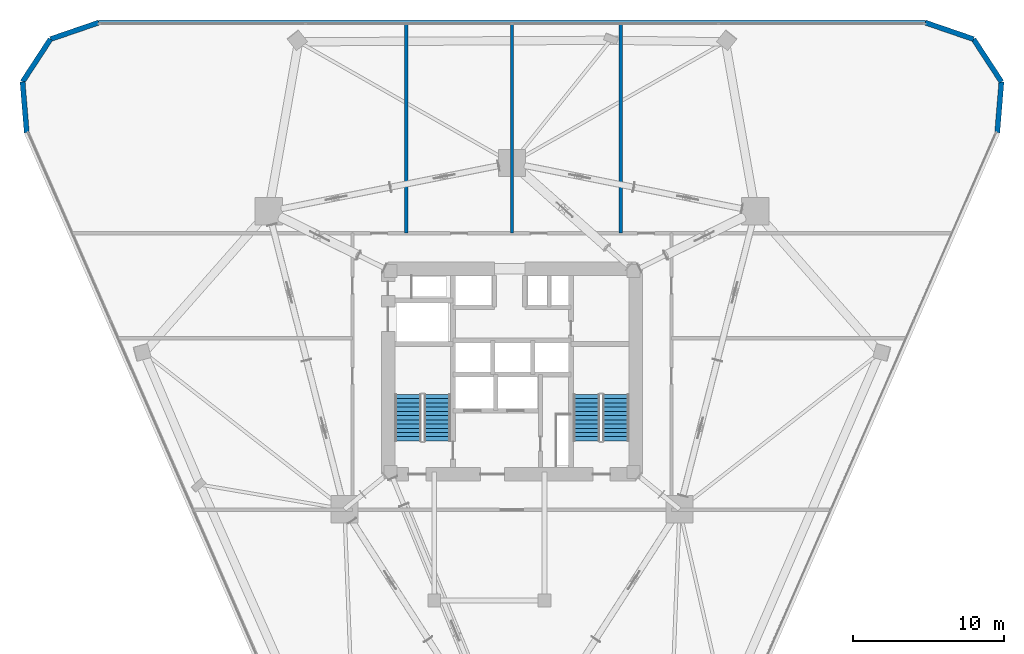
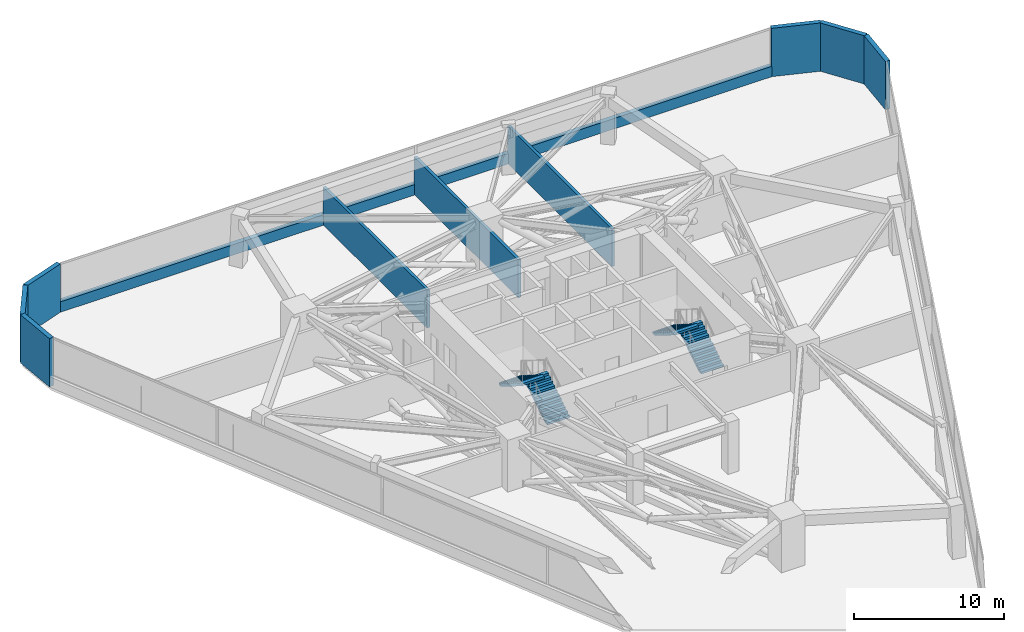
# One storey, part 19 of 20: 10 walls, 4 stair flights, 2 elements without a shape of their own.
"""IFC4 building model written with IfcOpenShell, lengths in metres."""

from ifc_helpers import new_model, si_unit, direction, frame, frame_2d, origin, place, context, subcontext, project, spatial, polyline, rectangle, outline, extrude, material, layer, layer_set, type_object, element, aggregate, save


model = new_model("IFC4")

# Units and contexts
model_context = context("Model", 3, precision=1e-05, world=origin(), true_north=direction((0.0, 1.0)))
body_context = subcontext(model_context, "Body", "Model", "MODEL_VIEW")
ifc_project = project(units=[si_unit("LENGTHUNIT", "METRE"), si_unit("AREAUNIT", "SQUARE_METRE"), si_unit("VOLUMEUNIT", "CUBIC_METRE"), si_unit("PLANEANGLEUNIT", "RADIAN"), si_unit("MASSUNIT", "GRAM", prefix="KILO")], contexts=[model_context])

# Site, building, storey
site_placement = place(None, origin())
site = spatial("IfcSite", under=ifc_project, at=site_placement, CompositionType="ELEMENT")
building_placement = place(site_placement, origin())
building = spatial("IfcBuilding", under=site, at=building_placement, Name="Talyreon Biosciences Tower", CompositionType="ELEMENT")
storey_placement = place(building_placement, frame((0.0, 0.0, 70.800048828125)))
storey = spatial("IfcBuildingStorey", under=building, at=storey_placement, Name="L18", CompositionType="ELEMENT", Elevation=70.800048828125)

# Walls
ifc_material_1 = material(Name="Gypsum fireboard acoustic stud", Category="gypsum")
ifc_layer_1 = layer(ifc_material_1, 0.219970703125)
ifc_layer_set_1 = layer_set([ifc_layer_1], Name="Gypsum fireboard acoustic stud")
wall_type_1 = type_object("IfcWallType", Name="CorridorRatedPartition_220", PredefinedType="PARTITIONING", material=ifc_layer_set_1)
for number, where, z_axis, x_axis, name in (
    (1, (59.0, 77.14990234375, 0.0), (0.0, 0.0, 1.0), (0.0, 1.0, 0.0), "L18 Interior Wall IW-L18-ND1"),
    (2, (66.0, 77.14990234375, 0.0), (0.0, 0.0, 1.0), (0.0, 1.0, 0.0), "L18 Interior Wall IW-L18-ND2"),
    (3, (73.199951171875, 77.14990234375, 0.0), (0.0, 0.0, 1.0), (0.0, 1.0, 0.0), "L18 Interior Wall IW-L18-ND3"),
):
    element("IfcWall", number, at=place(storey_placement, frame(where, z_axis=z_axis, x_axis=x_axis)), inside=storey, type_object=wall_type_1, Name=name, PredefinedType="PARTITIONING", context=body_context, shape_type="SweptSolid", body=[
        extrude(rectangle(XDim=13.852294921875, YDim=0.219970703125, at=frame_2d((6.92626953125, 0.0))), origin(), (0.0, 0.0, 1.0), 3.054931640625),
    ])
ifc_material_2 = material(Name="Precast concrete C45/55", Category="concrete")
ifc_layer_2 = layer(ifc_material_2, 0.340087890625)
ifc_layer_set_2 = layer_set([ifc_layer_2], Name="Precast concrete C45/55")
wall_type_2 = type_object("IfcWallType", Name="PrecastConcreteSpandrelWall_340", PredefinedType="STANDARD", material=ifc_layer_set_2)
wall_1_placement = place(storey_placement, frame((33.885986328125, 83.802734375, 0.0), z_axis=(0.0, 0.0, 1.0), x_axis=(-0.081806311552, 0.99664824657, 0.0)))
element("IfcWall", 4, at=wall_1_placement, inside=storey, type_object=wall_type_2, Name="L18 Rounded-Corner Concrete Pier 01", PredefinedType="STANDARD", context=body_context, shape_type="SweptSolid", body=[
    extrude(rectangle(XDim=3.375244140625, YDim=0.340087890625, at=frame_2d((1.6875, 0.0))), origin(), (0.0, 0.0, 1.0), 3.925048828125),
])
wall_2_placement = place(storey_placement, frame((33.60986328125, 87.166748046875, 0.0), z_axis=(0.0, 0.0, 1.0), x_axis=(0.54736822803, 0.83689188247, 0.0)))
element("IfcWall", 5, at=wall_2_placement, inside=storey, type_object=wall_type_2, Name="L18 Rounded-Corner Concrete Pier 02", PredefinedType="STANDARD", context=body_context, shape_type="SweptSolid", body=[
    extrude(rectangle(XDim=3.37548828125, YDim=0.340087890625, at=frame_2d((1.687744140625, 0.0))), origin(), (0.0, 0.0, 1.0), 3.925048828125),
])
wall_3_placement = place(storey_placement, frame((35.45751953125, 89.99169921875, 0.0), z_axis=(0.0, 0.0, 1.0), x_axis=(0.945861583966, 0.324570275868, 0.0)))
element("IfcWall", 6, at=wall_3_placement, inside=storey, type_object=wall_type_2, Name="L18 Rounded-Corner Concrete Pier 03", PredefinedType="STANDARD", context=body_context, shape_type="SweptSolid", body=[
    extrude(rectangle(XDim=3.375, YDim=0.340087890625, at=frame_2d((1.6875, 0.0))), origin(), (0.0, 0.0, 1.0), 3.925048828125),
])
wall_4_placement = place(storey_placement, frame((38.64990234375, 91.087158203125, 0.0), z_axis=(0.0, 0.0, 1.0), x_axis=(1.0, 0.0, 0.0)))
element("IfcWall", 7, at=wall_4_placement, inside=storey, type_object=wall_type_2, Name="L18 Expressed Concrete Sill Wall 04", PredefinedType="STANDARD", context=body_context, shape_type="SweptSolid", body=[
    extrude(rectangle(XDim=54.7001953125, YDim=0.340087890625, at=frame_2d((27.35009765625, 0.0))), origin(), (0.0, 0.0, 1.0), 0.849853515625),
])
wall_5_placement = place(storey_placement, frame((93.35009765625, 91.087158203125, 0.0), z_axis=(0.0, 0.0, 1.0), x_axis=(0.945861583966, -0.324570275868, 0.0)))
element("IfcWall", 8, at=wall_5_placement, inside=storey, type_object=wall_type_2, Name="L18 Rounded-Corner Concrete Pier 05", PredefinedType="STANDARD", context=body_context, shape_type="SweptSolid", body=[
    extrude(rectangle(XDim=3.375, YDim=0.340087890625, at=frame_2d((1.6875, 0.0))), origin(), (0.0, 0.0, 1.0), 3.925048828125),
])
wall_6_placement = place(storey_placement, frame((96.54248046875, 89.99169921875, 0.0), z_axis=(0.0, 0.0, 1.0), x_axis=(0.54736822803, -0.83689188247, 0.0)))
element("IfcWall", 9, at=wall_6_placement, inside=storey, type_object=wall_type_2, Name="L18 Rounded-Corner Concrete Pier 06", PredefinedType="STANDARD", context=body_context, shape_type="SweptSolid", body=[
    extrude(rectangle(XDim=3.37548828125, YDim=0.340087890625, at=frame_2d((1.687744140625, 0.0))), origin(), (0.0, 0.0, 1.0), 3.925048828125),
])
wall_7_placement = place(storey_placement, frame((98.39013671875, 87.166748046875, 0.0), z_axis=(0.0, 0.0, 1.0), x_axis=(-0.081806311552, -0.99664824657, 0.0)))
element("IfcWall", 10, at=wall_7_placement, inside=storey, type_object=wall_type_2, Name="L18 Rounded-Corner Concrete Pier 07", PredefinedType="STANDARD", context=body_context, shape_type="SweptSolid", body=[
    extrude(rectangle(XDim=3.375244140625, YDim=0.340087890625, at=frame_2d((1.6875, 0.0))), origin(), (0.0, 0.0, 1.0), 3.925048828125),
])

# Stair, stair flights
ifc_material_3 = material(Name="Concrete C40/50", Category="concrete")
stair_type = type_object("IfcStairType", Name="DoglegEscapeStair_4200", PredefinedType="HALF_TURN_STAIR", material=ifc_material_3)
stair_1_placement = place(storey_placement, origin())
stair_1 = element("IfcStair", 11, at=stair_1_placement, inside=storey, type_object=stair_type, Name="L18 Core Escape Stair 1", PredefinedType="HALF_TURN_STAIR")
stair_flight_type = type_object("IfcStairFlightType", Name="PrecastStairFlight_4200", PredefinedType="STRAIGHT", material=ifc_material_3)
stair_flight_1_placement = place(storey_placement, frame((61.06005859375, 63.39990234375, 0.0), z_axis=(0.0, 0.0, 1.0), x_axis=(0.0, 1.0, 0.0)))
stair_flight_1 = element("IfcStairFlight", 12, at=stair_flight_1_placement, type_object=stair_flight_type, Name="ST-1 flight 1", NumberOfRisers=12, NumberOfTreads=11, PredefinedType="STRAIGHT", RiserHeight=0.175, TreadLength=0.28, context=body_context, shape_type="SweptSolid", body=[
    extrude(outline(polyline([(0.0, 0.0), (0.0, 0.175048828125), (0.280029296875, 0.175048828125), (0.280029296875, 0.35009765625), (0.56005859375, 0.35009765625), (0.56005859375, 0.52490234375), (0.840087890625, 0.52490234375), (0.840087890625, 0.699951171875), (1.1201171875, 0.699951171875), (1.1201171875, 0.875), (1.39990234375, 0.875), (1.39990234375, 1.050048828125), (1.679931640625, 1.050048828125), (1.679931640625, 1.22509765625), (1.9599609375, 1.22509765625), (1.9599609375, 1.39990234375), (2.239990234375, 1.39990234375), (2.239990234375, 1.574951171875), (2.52001953125, 1.574951171875), (2.52001953125, 1.75), (2.800048828125, 1.75), (2.800048828125, 1.925048828125), (3.080078125, 1.925048828125), (3.080078125, 2.10009765625), (3.080078125, 1.748291015625), (0.28271484375, 0.0), (0.0, 0.0)])), frame((0.0, 0.8701171875, 0.0), z_axis=(0.0, -1.0, 0.0), x_axis=(1.0, 0.0, 0.0)), (0.0, 0.0, 1.0), 1.739990234375),
])
stair_flight_2_placement = place(storey_placement, frame((59.1201171875, 66.47998046875, 2.099853515625), z_axis=(0.0, 0.0, 1.0), x_axis=(0.0, -1.0, 0.0)))
stair_flight_2 = element("IfcStairFlight", 13, at=stair_flight_2_placement, type_object=stair_flight_type, Name="ST-1 flight 2", NumberOfRisers=12, NumberOfTreads=11, PredefinedType="STRAIGHT", RiserHeight=0.175, TreadLength=0.28, context=body_context, shape_type="SweptSolid", body=[
    extrude(outline(polyline([(0.0, 0.0), (0.0, 0.175048828125), (0.280029296875, 0.175048828125), (0.280029296875, 0.35009765625), (0.56005859375, 0.35009765625), (0.56005859375, 0.52490234375), (0.840087890625, 0.52490234375), (0.840087890625, 0.699951171875), (1.1201171875, 0.699951171875), (1.1201171875, 0.875), (1.39990234375, 0.875), (1.39990234375, 1.050048828125), (1.679931640625, 1.050048828125), (1.679931640625, 1.22509765625), (1.9599609375, 1.22509765625), (1.9599609375, 1.39990234375), (2.239990234375, 1.39990234375), (2.239990234375, 1.574951171875), (2.52001953125, 1.574951171875), (2.52001953125, 1.75), (2.800048828125, 1.75), (2.800048828125, 1.925048828125), (3.080078125, 1.925048828125), (3.080078125, 2.10009765625), (3.080078125, 1.748291015625), (0.28271484375, 0.0), (0.0, 0.0)])), frame((0.0, 0.8701171875, 0.0), z_axis=(0.0, -1.0, 0.0), x_axis=(1.0, 0.0, 0.0)), (0.0, 0.0, 1.0), 1.739990234375),
])
aggregate(stair_1, [stair_flight_1, stair_flight_2])

stair_2_placement = place(storey_placement, origin())
stair_2 = element("IfcStair", 14, at=stair_2_placement, inside=storey, type_object=stair_type, Name="L18 Core Escape Stair 2", PredefinedType="HALF_TURN_STAIR")
stair_flight_3_placement = place(storey_placement, frame((72.8798828125, 63.39990234375, 0.0), z_axis=(0.0, 0.0, 1.0), x_axis=(0.0, 1.0, 0.0)))
stair_flight_3 = element("IfcStairFlight", 15, at=stair_flight_3_placement, type_object=stair_flight_type, Name="ST-2 flight 1", NumberOfRisers=12, NumberOfTreads=11, PredefinedType="STRAIGHT", RiserHeight=0.175, TreadLength=0.28, context=body_context, shape_type="SweptSolid", body=[
    extrude(outline(polyline([(0.0, 0.0), (0.0, 0.175048828125), (0.280029296875, 0.175048828125), (0.280029296875, 0.35009765625), (0.56005859375, 0.35009765625), (0.56005859375, 0.52490234375), (0.840087890625, 0.52490234375), (0.840087890625, 0.699951171875), (1.1201171875, 0.699951171875), (1.1201171875, 0.875), (1.39990234375, 0.875), (1.39990234375, 1.050048828125), (1.679931640625, 1.050048828125), (1.679931640625, 1.22509765625), (1.9599609375, 1.22509765625), (1.9599609375, 1.39990234375), (2.239990234375, 1.39990234375), (2.239990234375, 1.574951171875), (2.52001953125, 1.574951171875), (2.52001953125, 1.75), (2.800048828125, 1.75), (2.800048828125, 1.925048828125), (3.080078125, 1.925048828125), (3.080078125, 2.10009765625), (3.080078125, 1.748291015625), (0.28271484375, 0.0), (0.0, 0.0)])), frame((0.0, 0.8701171875, 0.0), z_axis=(0.0, -1.0, 0.0), x_axis=(1.0, 0.0, 0.0)), (0.0, 0.0, 1.0), 1.739990234375),
])
stair_flight_4_placement = place(storey_placement, frame((70.93994140625, 66.47998046875, 2.099853515625), z_axis=(0.0, 0.0, 1.0), x_axis=(0.0, -1.0, 0.0)))
stair_flight_4 = element("IfcStairFlight", 16, at=stair_flight_4_placement, type_object=stair_flight_type, Name="ST-2 flight 2", NumberOfRisers=12, NumberOfTreads=11, PredefinedType="STRAIGHT", RiserHeight=0.175, TreadLength=0.28, context=body_context, shape_type="SweptSolid", body=[
    extrude(outline(polyline([(0.0, 0.0), (0.0, 0.175048828125), (0.280029296875, 0.175048828125), (0.280029296875, 0.35009765625), (0.56005859375, 0.35009765625), (0.56005859375, 0.52490234375), (0.840087890625, 0.52490234375), (0.840087890625, 0.699951171875), (1.1201171875, 0.699951171875), (1.1201171875, 0.875), (1.39990234375, 0.875), (1.39990234375, 1.050048828125), (1.679931640625, 1.050048828125), (1.679931640625, 1.22509765625), (1.9599609375, 1.22509765625), (1.9599609375, 1.39990234375), (2.239990234375, 1.39990234375), (2.239990234375, 1.574951171875), (2.52001953125, 1.574951171875), (2.52001953125, 1.75), (2.800048828125, 1.75), (2.800048828125, 1.925048828125), (3.080078125, 1.925048828125), (3.080078125, 2.10009765625), (3.080078125, 1.748291015625), (0.28271484375, 0.0), (0.0, 0.0)])), frame((0.0, 0.8701171875, 0.0), z_axis=(0.0, -1.0, 0.0), x_axis=(1.0, 0.0, 0.0)), (0.0, 0.0, 1.0), 1.739990234375),
])
aggregate(stair_2, [stair_flight_3, stair_flight_4])

save(model, "model.ifc")
